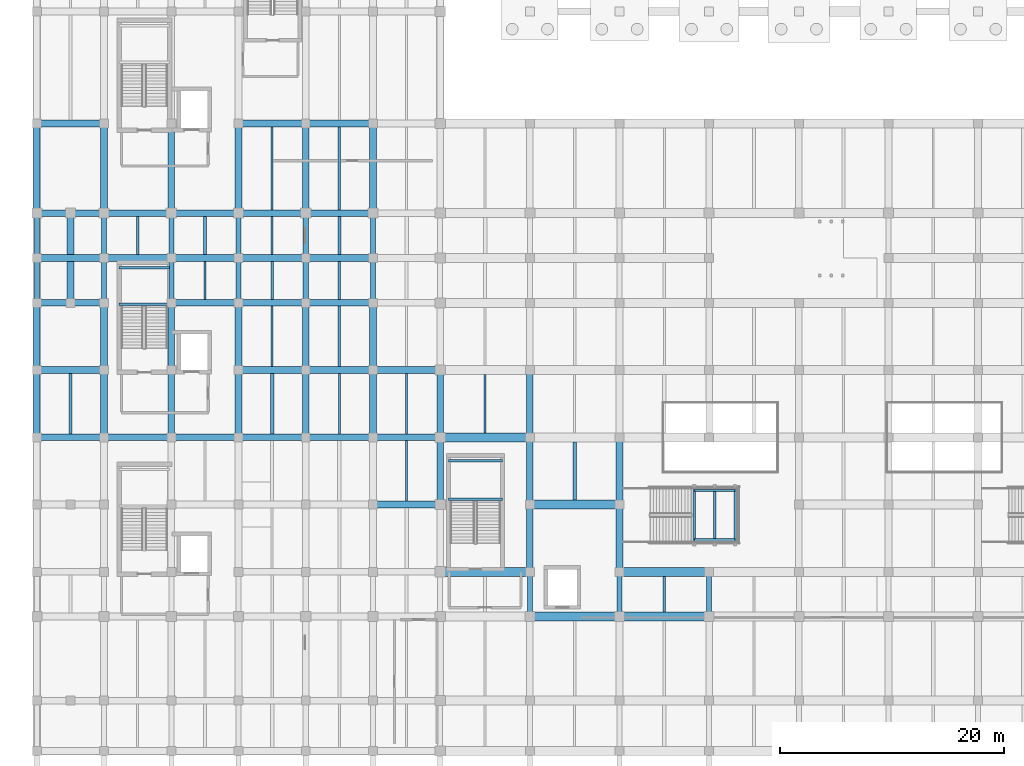
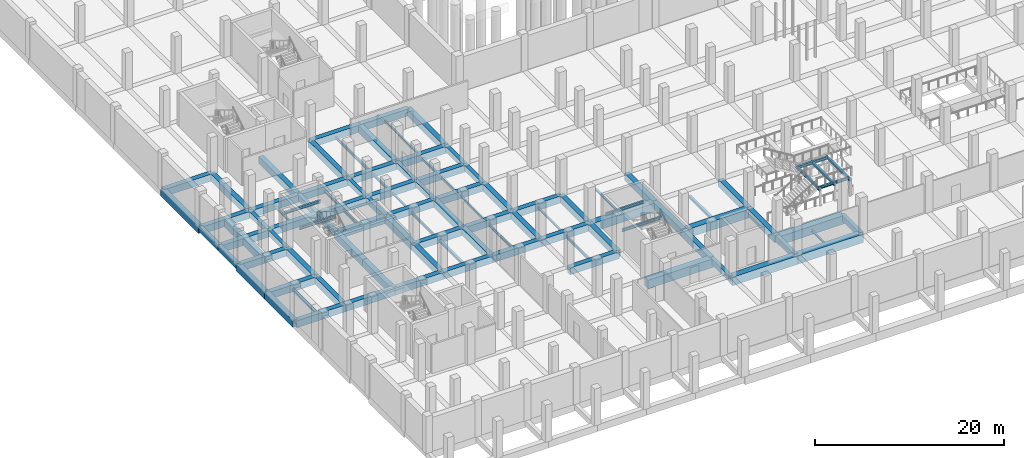
# One storey, part 12 of 36: 105 beams.
"""IFC4 building model written with IfcOpenShell, lengths in metres."""

from ifc_helpers import new_model, si_unit, direction, frame, origin, origin_2d, place, context, subcontext, project, spatial, rectangle, i_section, extrude, material, material_profile, profile_set, type_object, element, save


model = new_model("IFC4")

# Units and contexts
model_context = context("Model", 3, precision=1e-05, world=origin(), true_north=direction((0.0, 1.0)))
body_context = subcontext(model_context, "Body", "Model", "MODEL_VIEW")
ifc_project = project(units=[si_unit("LENGTHUNIT", "METRE"), si_unit("AREAUNIT", "SQUARE_METRE"), si_unit("VOLUMEUNIT", "CUBIC_METRE"), si_unit("PLANEANGLEUNIT", "RADIAN"), si_unit("MASSUNIT", "GRAM", prefix="KILO")], contexts=[model_context])

# Site, building, storey
site_placement = place(None, origin())
site = spatial("IfcSite", under=ifc_project, at=site_placement, CompositionType="ELEMENT")
building_placement = place(site_placement, origin())
building = spatial("IfcBuilding", under=site, at=building_placement, Name="Verrall Gate Interchange", CompositionType="ELEMENT")
storey_placement = place(building_placement, frame((0.0, 0.0, -4.800048828125)))
storey = spatial("IfcBuildingStorey", under=building, at=storey_placement, Name="B1", CompositionType="ELEMENT", Elevation=-4.800048828125)

# Beams
ifc_material_1 = material(Name="Concrete CSA A23.1 35 MPa (Class S-2)", Category="concrete")
ifc_material_profile_1 = material_profile(ifc_material_1, rectangle(XDim=0.800048828125, YDim=1.10009765625, at=origin_2d()), Name="RC800x1100")
ifc_profile_set_1 = profile_set([ifc_material_profile_1], Name="Concrete CSA A23.1 35 MPa (Class S-2)")
beam_type_1 = type_object("IfcBeamType", Name="B-01 Structural Beam RC800x1100", PredefinedType="BEAM", material=ifc_profile_set_1)
for number, where, z_axis, x_axis, name in (
    (1, (44.0, 12.0, -0.550048828125), (1.0, 0.0, 0.0), (0.0, 1.0, 0.0), "B1 Girder BM-B1-0054 (B-01)"),
    (2, (52.0, 12.0, -0.550048828125), (1.0, 0.0, 0.0), (0.0, 1.0, 0.0), "B1 Girder BM-B1-0055 (B-01)"),
    (3, (36.0, 16.0, -0.550048828125), (1.0, 0.0, 0.0), (0.0, 1.0, 0.0), "B1 Girder BM-B1-0075 (B-01)"),
    (4, (52.0, 16.0, -0.550048828125), (1.0, 0.0, 0.0), (0.0, 1.0, 0.0), "B1 Girder BM-B1-0076 (B-01)"),
    (5, (44.0, 22.0, -0.550048828125), (1.0, 0.0, 0.0), (0.0, 1.0, 0.0), "B1 Girder BM-B1-0097 (B-01)"),
    (6, (36.0, 28.0, -0.550048828125), (1.0, 0.0, 0.0), (0.0, 1.0, 0.0), "B1 Girder BM-B1-0114 (B-01)"),
):
    element("IfcBeam", number, at=place(storey_placement, frame(where, z_axis=z_axis, x_axis=x_axis)), inside=storey, type_object=beam_type_1, Name=name, PredefinedType="BEAM", context=body_context, shape_type="SweptSolid", body=[
        extrude(rectangle(XDim=0.800048828125, YDim=1.10009765625, at=origin_2d()), origin(), (0.0, 0.0, 1.0), 8.0),
    ])
ifc_material_2 = material(Name="Concrete CSA A23.1 40 MPa (Class N)", Category="concrete")
ifc_material_profile_2 = material_profile(ifc_material_2, rectangle(XDim=0.60009765625, YDim=0.89990234375, at=origin_2d()), Name="RC600x900")
ifc_profile_set_2 = profile_set([ifc_material_profile_2], Name="Concrete CSA A23.1 40 MPa (Class N)")
beam_type_2 = type_object("IfcBeamType", Name="B-02 Structural Beam RC600x900", PredefinedType="BEAM", material=ifc_profile_set_2)
for number, where, z_axis, x_axis, name in (
    (7, (30.0, 22.0, -0.449951171875), (1.0, 0.0, 0.0), (0.0, 1.0, 0.0), "B1 Girder BM-B1-0096 (B-02)"),
    (8, (0.0, 28.0, -0.449951171875), (1.0, 0.0, 0.0), (0.0, 1.0, 0.0), "B1 Girder BM-B1-0108 (B-02)"),
    (9, (6.0, 28.0, -0.449951171875), (1.0, 0.0, 0.0), (0.0, 1.0, 0.0), "B1 Girder BM-B1-0109 (B-02)"),
    (10, (12.0, 28.0, -0.449951171875), (1.0, 0.0, 0.0), (0.0, 1.0, 0.0), "B1 Girder BM-B1-0110 (B-02)"),
    (11, (18.0, 28.0, -0.449951171875), (1.0, 0.0, 0.0), (0.0, 1.0, 0.0), "B1 Girder BM-B1-0111 (B-02)"),
    (12, (24.0, 28.0, -0.449951171875), (1.0, 0.0, 0.0), (0.0, 1.0, 0.0), "B1 Girder BM-B1-0112 (B-02)"),
    (13, (30.0, 28.0, -0.449951171875), (1.0, 0.0, 0.0), (0.0, 1.0, 0.0), "B1 Girder BM-B1-0113 (B-02)"),
    (14, (0.0, 34.0, -0.449951171875), (1.0, 0.0, 0.0), (0.0, 1.0, 0.0), "B1 Girder BM-B1-0130 (B-02)"),
    (15, (18.0, 34.0, -0.449951171875), (1.0, 0.0, 0.0), (0.0, 1.0, 0.0), "B1 Girder BM-B1-0131 (B-02)"),
    (16, (24.0, 34.0, -0.449951171875), (1.0, 0.0, 0.0), (0.0, 1.0, 0.0), "B1 Girder BM-B1-0132 (B-02)"),
    (17, (30.0, 34.0, -0.449951171875), (1.0, 0.0, 0.0), (0.0, 1.0, 0.0), "B1 Girder BM-B1-0133 (B-02)"),
):
    element("IfcBeam", number, at=place(storey_placement, frame(where, z_axis=z_axis, x_axis=x_axis)), inside=storey, type_object=beam_type_2, Name=name, PredefinedType="BEAM", context=body_context, shape_type="SweptSolid", body=[
        extrude(rectangle(XDim=0.60009765625, YDim=0.89990234375, at=origin_2d()), origin(), (0.0, 0.0, 1.0), 6.0),
    ])
for number, where, z_axis, x_axis, name in (
    (18, (0.0, 40.0, -0.449951171875), (1.0, 0.0, 0.0), (0.0, 1.0, 0.0), "B1 Girder BM-B1-0150 (B-02)"),
    (19, (3.0, 40.0, -0.449951171875), (1.0, 0.0, 0.0), (0.0, 1.0, 0.0), "B1 Girder BM-B1-0151 (B-02)"),
):
    element("IfcBeam", number, at=place(storey_placement, frame(where, z_axis=z_axis, x_axis=x_axis)), inside=storey, type_object=beam_type_2, Name=name, PredefinedType="BEAM", context=body_context, shape_type="SweptSolid", body=[
        extrude(rectangle(XDim=0.60009765625, YDim=0.89990234375, at=origin_2d()), origin(), (0.0, 0.0, 1.0), 3.0),
    ])
for number, where, z_axis, x_axis, name in (
    (20, (12.0, 40.0, -0.449951171875), (1.0, 0.0, 0.0), (0.0, 1.0, 0.0), "B1 Girder BM-B1-0152 (B-02)"),
    (21, (18.0, 40.0, -0.449951171875), (1.0, 0.0, 0.0), (0.0, 1.0, 0.0), "B1 Girder BM-B1-0153 (B-02)"),
    (22, (24.0, 40.0, -0.449951171875), (1.0, 0.0, 0.0), (0.0, 1.0, 0.0), "B1 Girder BM-B1-0154 (B-02)"),
    (23, (0.0, 44.0, -0.449951171875), (1.0, 0.0, 0.0), (0.0, 1.0, 0.0), "B1 Girder BM-B1-0172 (B-02)"),
    (24, (6.0, 44.0, -0.449951171875), (1.0, 0.0, 0.0), (0.0, 1.0, 0.0), "B1 Girder BM-B1-0173 (B-02)"),
    (25, (12.0, 44.0, -0.449951171875), (1.0, 0.0, 0.0), (0.0, 1.0, 0.0), "B1 Girder BM-B1-0174 (B-02)"),
    (26, (18.0, 44.0, -0.449951171875), (1.0, 0.0, 0.0), (0.0, 1.0, 0.0), "B1 Girder BM-B1-0175 (B-02)"),
    (27, (24.0, 44.0, -0.449951171875), (1.0, 0.0, 0.0), (0.0, 1.0, 0.0), "B1 Girder BM-B1-0176 (B-02)"),
):
    element("IfcBeam", number, at=place(storey_placement, frame(where, z_axis=z_axis, x_axis=x_axis)), inside=storey, type_object=beam_type_2, Name=name, PredefinedType="BEAM", context=body_context, shape_type="SweptSolid", body=[
        extrude(rectangle(XDim=0.60009765625, YDim=0.89990234375, at=origin_2d()), origin(), (0.0, 0.0, 1.0), 6.0),
    ])
for number, where, z_axis, x_axis, name in (
    (28, (0.0, 48.0, -0.449951171875), (1.0, 0.0, 0.0), (0.0, 1.0, 0.0), "B1 Girder BM-B1-0193 (B-02)"),
    (29, (3.0, 48.0, -0.449951171875), (1.0, 0.0, 0.0), (0.0, 1.0, 0.0), "B1 Girder BM-B1-0194 (B-02)"),
):
    element("IfcBeam", number, at=place(storey_placement, frame(where, z_axis=z_axis, x_axis=x_axis)), inside=storey, type_object=beam_type_2, Name=name, PredefinedType="BEAM", context=body_context, shape_type="SweptSolid", body=[
        extrude(rectangle(XDim=0.60009765625, YDim=0.89990234375, at=origin_2d()), origin(), (0.0, 0.0, 1.0), 3.0),
    ])
for number, where, z_axis, x_axis, name in (
    (30, (6.0, 48.0, -0.449951171875), (1.0, 0.0, 0.0), (0.0, 1.0, 0.0), "B1 Girder BM-B1-0195 (B-02)"),
    (31, (12.0, 48.0, -0.449951171875), (1.0, 0.0, 0.0), (0.0, 1.0, 0.0), "B1 Girder BM-B1-0196 (B-02)"),
    (32, (18.0, 48.0, -0.449951171875), (1.0, 0.0, 0.0), (0.0, 1.0, 0.0), "B1 Girder BM-B1-0197 (B-02)"),
    (33, (24.0, 48.0, -0.449951171875), (1.0, 0.0, 0.0), (0.0, 1.0, 0.0), "B1 Girder BM-B1-0198 (B-02)"),
    (34, (0.0, 56.0, -0.449951171875), (1.0, 0.0, 0.0), (0.0, 1.0, 0.0), "B1 Girder BM-B1-0218 (B-02)"),
    (35, (18.0, 56.0, -0.449951171875), (1.0, 0.0, 0.0), (0.0, 1.0, 0.0), "B1 Girder BM-B1-0219 (B-02)"),
    (36, (24.0, 56.0, -0.449951171875), (1.0, 0.0, 0.0), (0.0, 1.0, 0.0), "B1 Girder BM-B1-0220 (B-02)"),
    (37, (0.0, 28.0, -0.449951171875), (0.0, 1.0, 0.0), (-1.0, 0.0, 0.0), "B1 Girder BM-B1-0269 (B-02)"),
    (38, (0.0, 34.0, -0.449951171875), (0.0, 1.0, 0.0), (-1.0, 0.0, 0.0), "B1 Girder BM-B1-0270 (B-02)"),
):
    element("IfcBeam", number, at=place(storey_placement, frame(where, z_axis=z_axis, x_axis=x_axis)), inside=storey, type_object=beam_type_2, Name=name, PredefinedType="BEAM", context=body_context, shape_type="SweptSolid", body=[
        extrude(rectangle(XDim=0.60009765625, YDim=0.89990234375, at=origin_2d()), origin(), (0.0, 0.0, 1.0), 6.0),
    ])
for number, where, z_axis, x_axis, name in (
    (39, (0.0, 48.0, -0.449951171875), (0.0, 1.0, 0.0), (-1.0, 0.0, 0.0), "B1 Girder BM-B1-0273 (B-02)"),
    (40, (3.0, 40.0, -0.449951171875), (0.0, 1.0, 0.0), (-1.0, 0.0, 0.0), "B1 Girder BM-B1-0278 (B-02)"),
):
    element("IfcBeam", number, at=place(storey_placement, frame(where, z_axis=z_axis, x_axis=x_axis)), inside=storey, type_object=beam_type_2, Name=name, PredefinedType="BEAM", context=body_context, shape_type="SweptSolid", body=[
        extrude(rectangle(XDim=0.60009765625, YDim=0.89990234375, at=origin_2d()), origin(), (0.0, 0.0, 1.0), 8.0),
    ])
for number, where, z_axis, x_axis, name in (
    (41, (6.0, 28.0, -0.449951171875), (0.0, 1.0, 0.0), (-1.0, 0.0, 0.0), "B1 Girder BM-B1-0285 (B-02)"),
    (42, (6.0, 34.0, -0.449951171875), (0.0, 1.0, 0.0), (-1.0, 0.0, 0.0), "B1 Girder BM-B1-0286 (B-02)"),
):
    element("IfcBeam", number, at=place(storey_placement, frame(where, z_axis=z_axis, x_axis=x_axis)), inside=storey, type_object=beam_type_2, Name=name, PredefinedType="BEAM", context=body_context, shape_type="SweptSolid", body=[
        extrude(rectangle(XDim=0.60009765625, YDim=0.89990234375, at=origin_2d()), origin(), (0.0, 0.0, 1.0), 6.0),
    ])
beam_1_placement = place(storey_placement, frame((6.0, 48.0, -0.449951171875), z_axis=(0.0, 1.0, 0.0), x_axis=(-1.0, 0.0, 0.0)))
element("IfcBeam", 43, at=beam_1_placement, inside=storey, type_object=beam_type_2, Name="B1 Girder BM-B1-0289 (B-02)", PredefinedType="BEAM", context=body_context, shape_type="SweptSolid", body=[
    extrude(rectangle(XDim=0.60009765625, YDim=0.89990234375, at=origin_2d()), origin(), (0.0, 0.0, 1.0), 8.0),
])
for number, where, z_axis, x_axis, name in (
    (44, (12.0, 28.0, -0.449951171875), (0.0, 1.0, 0.0), (-1.0, 0.0, 0.0), "B1 Girder BM-B1-0300 (B-02)"),
    (45, (12.0, 34.0, -0.449951171875), (0.0, 1.0, 0.0), (-1.0, 0.0, 0.0), "B1 Girder BM-B1-0301 (B-02)"),
):
    element("IfcBeam", number, at=place(storey_placement, frame(where, z_axis=z_axis, x_axis=x_axis)), inside=storey, type_object=beam_type_2, Name=name, PredefinedType="BEAM", context=body_context, shape_type="SweptSolid", body=[
        extrude(rectangle(XDim=0.60009765625, YDim=0.89990234375, at=origin_2d()), origin(), (0.0, 0.0, 1.0), 6.0),
    ])
beam_2_placement = place(storey_placement, frame((12.0, 48.0, -0.449951171875), z_axis=(0.0, 1.0, 0.0), x_axis=(-1.0, 0.0, 0.0)))
element("IfcBeam", 46, at=beam_2_placement, inside=storey, type_object=beam_type_2, Name="B1 Girder BM-B1-0304 (B-02)", PredefinedType="BEAM", context=body_context, shape_type="SweptSolid", body=[
    extrude(rectangle(XDim=0.60009765625, YDim=0.89990234375, at=origin_2d()), origin(), (0.0, 0.0, 1.0), 8.0),
])
for number, where, z_axis, x_axis, name in (
    (47, (18.0, 28.0, -0.449951171875), (0.0, 1.0, 0.0), (-1.0, 0.0, 0.0), "B1 Girder BM-B1-0315 (B-02)"),
    (48, (18.0, 34.0, -0.449951171875), (0.0, 1.0, 0.0), (-1.0, 0.0, 0.0), "B1 Girder BM-B1-0316 (B-02)"),
):
    element("IfcBeam", number, at=place(storey_placement, frame(where, z_axis=z_axis, x_axis=x_axis)), inside=storey, type_object=beam_type_2, Name=name, PredefinedType="BEAM", context=body_context, shape_type="SweptSolid", body=[
        extrude(rectangle(XDim=0.60009765625, YDim=0.89990234375, at=origin_2d()), origin(), (0.0, 0.0, 1.0), 6.0),
    ])
beam_3_placement = place(storey_placement, frame((18.0, 48.0, -0.449951171875), z_axis=(0.0, 1.0, 0.0), x_axis=(-1.0, 0.0, 0.0)))
element("IfcBeam", 49, at=beam_3_placement, inside=storey, type_object=beam_type_2, Name="B1 Girder BM-B1-0319 (B-02)", PredefinedType="BEAM", context=body_context, shape_type="SweptSolid", body=[
    extrude(rectangle(XDim=0.60009765625, YDim=0.89990234375, at=origin_2d()), origin(), (0.0, 0.0, 1.0), 8.0),
])
for number, where, z_axis, x_axis, name in (
    (50, (24.0, 28.0, -0.449951171875), (0.0, 1.0, 0.0), (-1.0, 0.0, 0.0), "B1 Girder BM-B1-0330 (B-02)"),
    (51, (24.0, 34.0, -0.449951171875), (0.0, 1.0, 0.0), (-1.0, 0.0, 0.0), "B1 Girder BM-B1-0331 (B-02)"),
):
    element("IfcBeam", number, at=place(storey_placement, frame(where, z_axis=z_axis, x_axis=x_axis)), inside=storey, type_object=beam_type_2, Name=name, PredefinedType="BEAM", context=body_context, shape_type="SweptSolid", body=[
        extrude(rectangle(XDim=0.60009765625, YDim=0.89990234375, at=origin_2d()), origin(), (0.0, 0.0, 1.0), 6.0),
    ])
beam_4_placement = place(storey_placement, frame((24.0, 48.0, -0.449951171875), z_axis=(0.0, 1.0, 0.0), x_axis=(-1.0, 0.0, 0.0)))
element("IfcBeam", 52, at=beam_4_placement, inside=storey, type_object=beam_type_2, Name="B1 Girder BM-B1-0334 (B-02)", PredefinedType="BEAM", context=body_context, shape_type="SweptSolid", body=[
    extrude(rectangle(XDim=0.60009765625, YDim=0.89990234375, at=origin_2d()), origin(), (0.0, 0.0, 1.0), 8.0),
])
for number, where, z_axis, x_axis, name in (
    (53, (30.0, 28.0, -0.449951171875), (0.0, 1.0, 0.0), (-1.0, 0.0, 0.0), "B1 Girder BM-B1-0345 (B-02)"),
    (54, (30.0, 34.0, -0.449951171875), (0.0, 1.0, 0.0), (-1.0, 0.0, 0.0), "B1 Girder BM-B1-0346 (B-02)"),
):
    element("IfcBeam", number, at=place(storey_placement, frame(where, z_axis=z_axis, x_axis=x_axis)), inside=storey, type_object=beam_type_2, Name=name, PredefinedType="BEAM", context=body_context, shape_type="SweptSolid", body=[
        extrude(rectangle(XDim=0.60009765625, YDim=0.89990234375, at=origin_2d()), origin(), (0.0, 0.0, 1.0), 6.0),
    ])
beam_5_placement = place(storey_placement, frame((30.0, 48.0, -0.449951171875), z_axis=(0.0, 1.0, 0.0), x_axis=(-1.0, 0.0, 0.0)))
element("IfcBeam", 55, at=beam_5_placement, inside=storey, type_object=beam_type_2, Name="B1 Girder BM-B1-0349 (B-02)", PredefinedType="BEAM", context=body_context, shape_type="SweptSolid", body=[
    extrude(rectangle(XDim=0.60009765625, YDim=0.89990234375, at=origin_2d()), origin(), (0.0, 0.0, 1.0), 8.0),
])
for number, where, z_axis, x_axis, name in (
    (56, (36.0, 22.0, -0.449951171875), (0.0, 1.0, 0.0), (-1.0, 0.0, 0.0), "B1 Girder BM-B1-0359 (B-02)"),
    (57, (36.0, 28.0, -0.449951171875), (0.0, 1.0, 0.0), (-1.0, 0.0, 0.0), "B1 Girder BM-B1-0360 (B-02)"),
    (58, (44.0, 16.0, -0.449951171875), (0.0, 1.0, 0.0), (-1.0, 0.0, 0.0), "B1 Girder BM-B1-0373 (B-02)"),
    (59, (44.0, 22.0, -0.449951171875), (0.0, 1.0, 0.0), (-1.0, 0.0, 0.0), "B1 Girder BM-B1-0374 (B-02)"),
    (60, (44.0, 28.0, -0.449951171875), (0.0, 1.0, 0.0), (-1.0, 0.0, 0.0), "B1 Girder BM-B1-0375 (B-02)"),
    (61, (52.0, 16.0, -0.449951171875), (0.0, 1.0, 0.0), (-1.0, 0.0, 0.0), "B1 Girder BM-B1-0384 (B-02)"),
    (62, (52.0, 22.0, -0.449951171875), (0.0, 1.0, 0.0), (-1.0, 0.0, 0.0), "B1 Girder BM-B1-0385 (B-02)"),
):
    element("IfcBeam", number, at=place(storey_placement, frame(where, z_axis=z_axis, x_axis=x_axis)), inside=storey, type_object=beam_type_2, Name=name, PredefinedType="BEAM", context=body_context, shape_type="SweptSolid", body=[
        extrude(rectangle(XDim=0.60009765625, YDim=0.89990234375, at=origin_2d()), origin(), (0.0, 0.0, 1.0), 6.0),
    ])
ifc_material_3 = material(Name="Concrete CSA A23.1 40 MPa (Class N)", Category="concrete")
ifc_material_profile_3 = material_profile(ifc_material_3, rectangle(XDim=0.449951171875, YDim=0.699951171875, at=origin_2d()), Name="RC450x700")
ifc_profile_set_3 = profile_set([ifc_material_profile_3], Name="Concrete CSA A23.1 40 MPa (Class N)")
beam_type_3 = type_object("IfcBeamType", Name="B-03 Structural Beam RC450x700", PredefinedType="BEAM", material=ifc_profile_set_3)
for number, where, z_axis, x_axis, name in (
    (63, (0.0, 40.0, -0.349853515625), (0.0, 1.0, 0.0), (-1.0, 0.0, 0.0), "B1 Girder BM-B1-0271 (B-03)"),
    (64, (0.0, 44.0, -0.349853515625), (0.0, 1.0, 0.0), (-1.0, 0.0, 0.0), "B1 Girder BM-B1-0272 (B-03)"),
    (65, (6.0, 40.0, -0.349853515625), (0.0, 1.0, 0.0), (-1.0, 0.0, 0.0), "B1 Girder BM-B1-0287 (B-03)"),
    (66, (6.0, 44.0, -0.349853515625), (0.0, 1.0, 0.0), (-1.0, 0.0, 0.0), "B1 Girder BM-B1-0288 (B-03)"),
    (67, (12.0, 40.0, -0.349853515625), (0.0, 1.0, 0.0), (-1.0, 0.0, 0.0), "B1 Girder BM-B1-0302 (B-03)"),
    (68, (12.0, 44.0, -0.349853515625), (0.0, 1.0, 0.0), (-1.0, 0.0, 0.0), "B1 Girder BM-B1-0303 (B-03)"),
    (69, (18.0, 40.0, -0.349853515625), (0.0, 1.0, 0.0), (-1.0, 0.0, 0.0), "B1 Girder BM-B1-0317 (B-03)"),
    (70, (18.0, 44.0, -0.349853515625), (0.0, 1.0, 0.0), (-1.0, 0.0, 0.0), "B1 Girder BM-B1-0318 (B-03)"),
    (71, (24.0, 40.0, -0.349853515625), (0.0, 1.0, 0.0), (-1.0, 0.0, 0.0), "B1 Girder BM-B1-0332 (B-03)"),
    (72, (24.0, 44.0, -0.349853515625), (0.0, 1.0, 0.0), (-1.0, 0.0, 0.0), "B1 Girder BM-B1-0333 (B-03)"),
    (73, (30.0, 40.0, -0.349853515625), (0.0, 1.0, 0.0), (-1.0, 0.0, 0.0), "B1 Girder BM-B1-0347 (B-03)"),
    (74, (30.0, 44.0, -0.349853515625), (0.0, 1.0, 0.0), (-1.0, 0.0, 0.0), "B1 Girder BM-B1-0348 (B-03)"),
    (75, (44.0, 12.0, -0.349853515625), (0.0, 1.0, 0.0), (-1.0, 0.0, 0.0), "B1 Girder BM-B1-0372 (B-03)"),
    (76, (52.0, 12.0, -0.349853515625), (0.0, 1.0, 0.0), (-1.0, 0.0, 0.0), "B1 Girder BM-B1-0383 (B-03)"),
    (77, (60.0, 12.0, -0.349853515625), (0.0, 1.0, 0.0), (-1.0, 0.0, 0.0), "B1 Girder BM-B1-0394 (B-03)"),
):
    element("IfcBeam", number, at=place(storey_placement, frame(where, z_axis=z_axis, x_axis=x_axis)), inside=storey, type_object=beam_type_3, Name=name, PredefinedType="BEAM", context=body_context, shape_type="SweptSolid", body=[
        extrude(rectangle(XDim=0.449951171875, YDim=0.699951171875, at=origin_2d()), origin(), (0.0, 0.0, 1.0), 4.0),
    ])
ifc_material_4 = material(Name="Structural Steel CSA G40.21 350W", Category="steel")
ifc_material_profile_4 = material_profile(ifc_material_4, i_section(OverallWidth=0.205078125, OverallDepth=0.35400390625, WebThickness=0.009521484375, FlangeThickness=0.016845703125, FilletRadius=0.012939453125, at=origin_2d()), Name="W360x79")
ifc_profile_set_4 = profile_set([ifc_material_profile_4], Name="Structural Steel CSA G40.21 350W")
beam_type_4 = type_object("IfcBeamType", Name="B-14 Structural Beam W360x79", PredefinedType="BEAM", material=ifc_profile_set_4)
for number, where, z_axis, x_axis, name in (
    (78, (7.35009765625, 39.8701171875, 2.030029296875), (1.0, 0.0, 0.0), (0.0, 1.0, 0.0), "B1 Core C2 Mid-Landing Beam 1"),
    (79, (7.35009765625, 43.1201171875, 2.030029296875), (1.0, 0.0, 0.0), (0.0, 1.0, 0.0), "B1 Core C2 Mid-Landing Beam 2"),
):
    element("IfcBeam", number, at=place(storey_placement, frame(where, z_axis=z_axis, x_axis=x_axis)), inside=storey, type_object=beam_type_4, Name=name, PredefinedType="BEAM", context=body_context, shape_type="SweptSolid", body=[
        extrude(i_section(OverallWidth=0.205078125, OverallDepth=0.35400390625, WebThickness=0.009521484375, FlangeThickness=0.016845703125, FilletRadius=0.012939453125, at=origin_2d()), origin(), (0.0, 0.0, 1.0), 4.5),
    ])
for number, where, z_axis, x_axis, name in (
    (80, (36.72998046875, 22.469970703125, 2.030029296875), (1.0, 0.0, 0.0), (0.0, 1.0, 0.0), "B1 Core C5 Mid-Landing Beam 1"),
    (81, (36.72998046875, 25.919921875, 2.030029296875), (1.0, 0.0, 0.0), (0.0, 1.0, 0.0), "B1 Core C5 Mid-Landing Beam 2"),
):
    element("IfcBeam", number, at=place(storey_placement, frame(where, z_axis=z_axis, x_axis=x_axis)), inside=storey, type_object=beam_type_4, Name=name, PredefinedType="BEAM", context=body_context, shape_type="SweptSolid", body=[
        extrude(i_section(OverallWidth=0.205078125, OverallDepth=0.35400390625, WebThickness=0.009521484375, FlangeThickness=0.016845703125, FilletRadius=0.012939453125, at=origin_2d()), origin(), (0.0, 0.0, 1.0), 4.840087890625),
    ])
for number, where, z_axis, x_axis, name in (
    (82, (58.669921875, 18.43994140625, 2.030029296875), (0.0, 1.0, 0.0), (-1.0, 0.0, 0.0), "B1 ST-10 Mid-Landing Beam"),
    (83, (60.4951171875, 18.43994140625, 2.030029296875), (0.0, 1.0, 0.0), (-1.0, 0.0, 0.0), "B1 ST-10 Mid-Landing Beam"),
    (84, (62.320068359375, 18.43994140625, 2.030029296875), (0.0, 1.0, 0.0), (-1.0, 0.0, 0.0), "B1 ST-10 Mid-Landing Beam"),
):
    element("IfcBeam", number, at=place(storey_placement, frame(where, z_axis=z_axis, x_axis=x_axis)), inside=storey, type_object=beam_type_4, Name=name, PredefinedType="BEAM", context=body_context, shape_type="SweptSolid", body=[
        extrude(i_section(OverallWidth=0.205078125, OverallDepth=0.35400390625, WebThickness=0.009521484375, FlangeThickness=0.016845703125, FilletRadius=0.012939453125, at=origin_2d()), origin(), (0.0, 0.0, 1.0), 5.219970703125),
    ])
for number, where, z_axis, x_axis, name in (
    (85, (58.669921875, 18.85009765625, 2.030029296875), (1.0, 0.0, 0.0), (0.0, 1.0, 0.0), "B1 ST-10 Mid-Landing Edge Beam 1"),
    (86, (58.669921875, 23.25, 2.030029296875), (1.0, 0.0, 0.0), (0.0, 1.0, 0.0), "B1 ST-10 Mid-Landing Edge Beam 2"),
):
    element("IfcBeam", number, at=place(storey_placement, frame(where, z_axis=z_axis, x_axis=x_axis)), inside=storey, type_object=beam_type_4, Name=name, PredefinedType="BEAM", context=body_context, shape_type="SweptSolid", body=[
        extrude(i_section(OverallWidth=0.205078125, OverallDepth=0.35400390625, WebThickness=0.009521484375, FlangeThickness=0.016845703125, FilletRadius=0.012939453125, at=origin_2d()), origin(), (0.0, 0.0, 1.0), 3.650146484375),
    ])
ifc_material_5 = material(Name="Structural Steel CSA G40.21 350W", Category="steel")
ifc_material_profile_5 = material_profile(ifc_material_5, i_section(OverallWidth=0.172119140625, OverallDepth=0.35791015625, WebThickness=0.0078125, FlangeThickness=0.01318359375, FilletRadius=0.010986328125, at=origin_2d()), Name="W360x57")
ifc_profile_set_5 = profile_set([ifc_material_profile_5], Name="Structural Steel CSA G40.21 350W")
beam_type_5 = type_object("IfcBeamType", Name="J-01 Floor Joist W360x57", PredefinedType="JOIST", material=ifc_profile_set_5)
for number, where, z_axis, x_axis, name in (
    (87, (33.0, 22.300048828125, -0.62890625), (0.0, 1.0, 0.0), (-1.0, 0.0, 0.0), "B1 Secondary Floor Joist JST-B1-0597"),
    (88, (27.0, 28.300048828125, -0.62890625), (0.0, 1.0, 0.0), (-1.0, 0.0, 0.0), "B1 Secondary Floor Joist JST-B1-0611"),
    (89, (21.0, 34.300048828125, -0.62890625), (0.0, 1.0, 0.0), (-1.0, 0.0, 0.0), "B1 Secondary Floor Joist JST-B1-0627"),
):
    element("IfcBeam", number, at=place(storey_placement, frame(where, z_axis=z_axis, x_axis=x_axis)), inside=storey, type_object=beam_type_5, Name=name, PredefinedType="JOIST", context=body_context, shape_type="SweptSolid", body=[
        extrude(i_section(OverallWidth=0.172119140625, OverallDepth=0.35791015625, WebThickness=0.0078125, FlangeThickness=0.01318359375, FilletRadius=0.010986328125, at=origin_2d()), origin(), (0.0, 0.0, 1.0), 5.39990234375),
    ])
beam_6_placement = place(storey_placement, frame((15.0, 40.300048828125, -0.62890625), z_axis=(0.0, 1.0, 0.0), x_axis=(-1.0, 0.0, 0.0)))
element("IfcBeam", 90, at=beam_6_placement, inside=storey, type_object=beam_type_5, Name="B1 Secondary Floor Joist JST-B1-0645", PredefinedType="JOIST", context=body_context, shape_type="SweptSolid", body=[
    extrude(i_section(OverallWidth=0.172119140625, OverallDepth=0.35791015625, WebThickness=0.0078125, FlangeThickness=0.01318359375, FilletRadius=0.010986328125, at=origin_2d()), origin(), (0.0, 0.0, 1.0), 3.39990234375),
])
beam_7_placement = place(storey_placement, frame((21.0, 48.300048828125, -0.62890625), z_axis=(0.0, 1.0, 0.0), x_axis=(-1.0, 0.0, 0.0)))
element("IfcBeam", 91, at=beam_7_placement, inside=storey, type_object=beam_type_5, Name="B1 Secondary Floor Joist JST-B1-0683", PredefinedType="JOIST", context=body_context, shape_type="SweptSolid", body=[
    extrude(i_section(OverallWidth=0.172119140625, OverallDepth=0.35791015625, WebThickness=0.0078125, FlangeThickness=0.01318359375, FilletRadius=0.010986328125, at=origin_2d()), origin(), (0.0, 0.0, 1.0), 7.39990234375),
])
ifc_material_6 = material(Name="Structural Steel CSA G40.21 350W", Category="steel")
ifc_material_profile_6 = material_profile(ifc_material_6, i_section(OverallWidth=0.306884765625, OverallDepth=0.31396484375, WebThickness=0.011962890625, FlangeThickness=0.018798828125, FilletRadius=0.013916015625, at=origin_2d()), Name="W310x118")
ifc_profile_set_6 = profile_set([ifc_material_profile_6], Name="Structural Steel CSA G40.21 350W")
beam_type_6 = type_object("IfcBeamType", Name="J-02 Floor Joist W310x118", PredefinedType="JOIST", material=ifc_profile_set_6)
beam_8_placement = place(storey_placement, frame((48.0, 22.39990234375, -0.60693359375), z_axis=(0.0, 1.0, 0.0), x_axis=(-1.0, 0.0, 0.0)))
element("IfcBeam", 92, at=beam_8_placement, inside=storey, type_object=beam_type_6, Name="B1 Secondary Floor Joist JST-B1-0598", PredefinedType="JOIST", context=body_context, shape_type="SweptSolid", body=[
    extrude(i_section(OverallWidth=0.306884765625, OverallDepth=0.31396484375, WebThickness=0.011962890625, FlangeThickness=0.018798828125, FilletRadius=0.013916015625, at=origin_2d()), origin(), (0.0, 0.0, 1.0), 5.2001953125),
])
beam_9_placement = place(storey_placement, frame((21.0, 28.300048828125, -0.60693359375), z_axis=(0.0, 1.0, 0.0), x_axis=(-1.0, 0.0, 0.0)))
element("IfcBeam", 93, at=beam_9_placement, inside=storey, type_object=beam_type_6, Name="B1 Secondary Floor Joist JST-B1-0610", PredefinedType="JOIST", context=body_context, shape_type="SweptSolid", body=[
    extrude(i_section(OverallWidth=0.306884765625, OverallDepth=0.31396484375, WebThickness=0.011962890625, FlangeThickness=0.018798828125, FilletRadius=0.013916015625, at=origin_2d()), origin(), (0.0, 0.0, 1.0), 5.39990234375),
])
ifc_material_7 = material(Name="Structural Steel CSA G40.21 350W", Category="steel")
ifc_material_profile_7 = material_profile(ifc_material_7, i_section(OverallWidth=0.25390625, OverallDepth=0.305908203125, WebThickness=0.0087890625, FlangeThickness=0.0146484375, FilletRadius=0.012939453125, at=origin_2d()), Name="W310x79")
ifc_profile_set_7 = profile_set([ifc_material_profile_7], Name="Structural Steel CSA G40.21 350W")
beam_type_7 = type_object("IfcBeamType", Name="J-03 Floor Joist W310x79", PredefinedType="JOIST", material=ifc_profile_set_7)
beam_10_placement = place(storey_placement, frame((27.0, 44.300048828125, -0.60302734375), z_axis=(0.0, 1.0, 0.0), x_axis=(-1.0, 0.0, 0.0)))
element("IfcBeam", 94, at=beam_10_placement, inside=storey, type_object=beam_type_7, Name="B1 Secondary Floor Joist JST-B1-0666", PredefinedType="JOIST", context=body_context, shape_type="SweptSolid", body=[
    extrude(i_section(OverallWidth=0.25390625, OverallDepth=0.305908203125, WebThickness=0.0087890625, FlangeThickness=0.0146484375, FilletRadius=0.012939453125, at=origin_2d()), origin(), (0.0, 0.0, 1.0), 3.39990234375),
])
ifc_material_8 = material(Name="Structural Steel CSA G40.21 350W", Category="steel")
ifc_material_profile_8 = material_profile(ifc_material_8, i_section(OverallWidth=0.1650390625, OverallDepth=0.31005859375, WebThickness=0.005859375, FlangeThickness=0.009765625, FilletRadius=0.010009765625, at=origin_2d()), Name="W310x39")
ifc_profile_set_8 = profile_set([ifc_material_profile_8], Name="Structural Steel CSA G40.21 350W")
beam_type_8 = type_object("IfcBeamType", Name="J-04 Floor Joist W310x39", PredefinedType="JOIST", material=ifc_profile_set_8)
beam_11_placement = place(storey_placement, frame((21.0, 44.300048828125, -0.60498046875), z_axis=(0.0, 1.0, 0.0), x_axis=(-1.0, 0.0, 0.0)))
element("IfcBeam", 95, at=beam_11_placement, inside=storey, type_object=beam_type_8, Name="B1 Secondary Floor Joist JST-B1-0665", PredefinedType="JOIST", context=body_context, shape_type="SweptSolid", body=[
    extrude(i_section(OverallWidth=0.1650390625, OverallDepth=0.31005859375, WebThickness=0.005859375, FlangeThickness=0.009765625, FilletRadius=0.010009765625, at=origin_2d()), origin(), (0.0, 0.0, 1.0), 3.39990234375),
])
ifc_material_9 = material(Name="Structural Steel CSA G40.21 350W", Category="steel")
ifc_material_profile_9 = material_profile(ifc_material_9, i_section(OverallWidth=0.25390625, OverallDepth=0.2529296875, WebThickness=0.008544921875, FlangeThickness=0.01416015625, FilletRadius=0.011962890625, at=origin_2d()), Name="W250x73")
ifc_profile_set_9 = profile_set([ifc_material_profile_9], Name="Structural Steel CSA G40.21 350W")
beam_type_9 = type_object("IfcBeamType", Name="J-05 Floor Joist W250x73", PredefinedType="JOIST", material=ifc_profile_set_9)
beam_12_placement = place(storey_placement, frame((3.0, 28.300048828125, -0.576416015625), z_axis=(0.0, 1.0, 0.0), x_axis=(-1.0, 0.0, 0.0)))
element("IfcBeam", 96, at=beam_12_placement, inside=storey, type_object=beam_type_9, Name="B1 Secondary Floor Joist JST-B1-0609", PredefinedType="JOIST", context=body_context, shape_type="SweptSolid", body=[
    extrude(i_section(OverallWidth=0.25390625, OverallDepth=0.2529296875, WebThickness=0.008544921875, FlangeThickness=0.01416015625, FilletRadius=0.011962890625, at=origin_2d()), origin(), (0.0, 0.0, 1.0), 5.39990234375),
])
beam_13_placement = place(storey_placement, frame((15.0, 44.300048828125, -0.576416015625), z_axis=(0.0, 1.0, 0.0), x_axis=(-1.0, 0.0, 0.0)))
element("IfcBeam", 97, at=beam_13_placement, inside=storey, type_object=beam_type_9, Name="B1 Secondary Floor Joist JST-B1-0664", PredefinedType="JOIST", context=body_context, shape_type="SweptSolid", body=[
    extrude(i_section(OverallWidth=0.25390625, OverallDepth=0.2529296875, WebThickness=0.008544921875, FlangeThickness=0.01416015625, FilletRadius=0.011962890625, at=origin_2d()), origin(), (0.0, 0.0, 1.0), 3.39990234375),
])
ifc_material_10 = material(Name="Structural Steel CSA G40.21 350W", Category="steel")
ifc_material_profile_10 = material_profile(ifc_material_10, i_section(OverallWidth=0.201904296875, OverallDepth=0.2470703125, WebThickness=0.00732421875, FlangeThickness=0.010986328125, FilletRadius=0.010986328125, at=origin_2d()), Name="W250x49")
ifc_profile_set_10 = profile_set([ifc_material_profile_10], Name="Structural Steel CSA G40.21 350W")
beam_type_10 = type_object("IfcBeamType", Name="J-06 Floor Joist W250x49", PredefinedType="JOIST", material=ifc_profile_set_10)
for number, where, z_axis, x_axis, name in (
    (98, (27.0, 40.300048828125, -0.573486328125), (0.0, 1.0, 0.0), (-1.0, 0.0, 0.0), "B1 Secondary Floor Joist JST-B1-0647"),
    (99, (9.0, 44.300048828125, -0.573486328125), (0.0, 1.0, 0.0), (-1.0, 0.0, 0.0), "B1 Secondary Floor Joist JST-B1-0663"),
):
    element("IfcBeam", number, at=place(storey_placement, frame(where, z_axis=z_axis, x_axis=x_axis)), inside=storey, type_object=beam_type_10, Name=name, PredefinedType="JOIST", context=body_context, shape_type="SweptSolid", body=[
        extrude(i_section(OverallWidth=0.201904296875, OverallDepth=0.2470703125, WebThickness=0.00732421875, FlangeThickness=0.010986328125, FilletRadius=0.010986328125, at=origin_2d()), origin(), (0.0, 0.0, 1.0), 3.39990234375),
    ])
ifc_material_11 = material(Name="Structural Steel CSA G40.21 350W", Category="steel")
ifc_material_profile_11 = material_profile(ifc_material_11, i_section(OverallWidth=0.202880859375, OverallDepth=0.202880859375, WebThickness=0.007080078125, FlangeThickness=0.010986328125, FilletRadius=0.010009765625, at=origin_2d()), Name="W200x46")
ifc_profile_set_11 = profile_set([ifc_material_profile_11], Name="Structural Steel CSA G40.21 350W")
beam_type_11 = type_object("IfcBeamType", Name="J-07 Floor Joist W200x46", PredefinedType="JOIST", material=ifc_profile_set_11)
beam_14_placement = place(storey_placement, frame((56.0, 12.39990234375, -0.551513671875), z_axis=(0.0, 1.0, 0.0), x_axis=(-1.0, 0.0, 0.0)))
element("IfcBeam", 100, at=beam_14_placement, inside=storey, type_object=beam_type_11, Name="B1 Secondary Floor Joist JST-B1-0567", PredefinedType="JOIST", context=body_context, shape_type="SweptSolid", body=[
    extrude(i_section(OverallWidth=0.202880859375, OverallDepth=0.202880859375, WebThickness=0.007080078125, FlangeThickness=0.010986328125, FilletRadius=0.010009765625, at=origin_2d()), origin(), (0.0, 0.0, 1.0), 3.2001953125),
])
beam_15_placement = place(storey_placement, frame((33.0, 28.300048828125, -0.551513671875), z_axis=(0.0, 1.0, 0.0), x_axis=(-1.0, 0.0, 0.0)))
element("IfcBeam", 101, at=beam_15_placement, inside=storey, type_object=beam_type_11, Name="B1 Secondary Floor Joist JST-B1-0612", PredefinedType="JOIST", context=body_context, shape_type="SweptSolid", body=[
    extrude(i_section(OverallWidth=0.202880859375, OverallDepth=0.202880859375, WebThickness=0.007080078125, FlangeThickness=0.010986328125, FilletRadius=0.010009765625, at=origin_2d()), origin(), (0.0, 0.0, 1.0), 5.39990234375),
])
beam_16_placement = place(storey_placement, frame((40.0, 28.39990234375, -0.551513671875), z_axis=(0.0, 1.0, 0.0), x_axis=(-1.0, 0.0, 0.0)))
element("IfcBeam", 102, at=beam_16_placement, inside=storey, type_object=beam_type_11, Name="B1 Secondary Floor Joist JST-B1-0613", PredefinedType="JOIST", context=body_context, shape_type="SweptSolid", body=[
    extrude(i_section(OverallWidth=0.202880859375, OverallDepth=0.202880859375, WebThickness=0.007080078125, FlangeThickness=0.010986328125, FilletRadius=0.010009765625, at=origin_2d()), origin(), (0.0, 0.0, 1.0), 5.2001953125),
])
beam_17_placement = place(storey_placement, frame((27.0, 34.300048828125, -0.551513671875), z_axis=(0.0, 1.0, 0.0), x_axis=(-1.0, 0.0, 0.0)))
element("IfcBeam", 103, at=beam_17_placement, inside=storey, type_object=beam_type_11, Name="B1 Secondary Floor Joist JST-B1-0628", PredefinedType="JOIST", context=body_context, shape_type="SweptSolid", body=[
    extrude(i_section(OverallWidth=0.202880859375, OverallDepth=0.202880859375, WebThickness=0.007080078125, FlangeThickness=0.010986328125, FilletRadius=0.010009765625, at=origin_2d()), origin(), (0.0, 0.0, 1.0), 5.39990234375),
])
beam_18_placement = place(storey_placement, frame((21.0, 40.300048828125, -0.551513671875), z_axis=(0.0, 1.0, 0.0), x_axis=(-1.0, 0.0, 0.0)))
element("IfcBeam", 104, at=beam_18_placement, inside=storey, type_object=beam_type_11, Name="B1 Secondary Floor Joist JST-B1-0646", PredefinedType="JOIST", context=body_context, shape_type="SweptSolid", body=[
    extrude(i_section(OverallWidth=0.202880859375, OverallDepth=0.202880859375, WebThickness=0.007080078125, FlangeThickness=0.010986328125, FilletRadius=0.010009765625, at=origin_2d()), origin(), (0.0, 0.0, 1.0), 3.39990234375),
])
beam_19_placement = place(storey_placement, frame((27.0, 48.300048828125, -0.551513671875), z_axis=(0.0, 1.0, 0.0), x_axis=(-1.0, 0.0, 0.0)))
element("IfcBeam", 105, at=beam_19_placement, inside=storey, type_object=beam_type_11, Name="B1 Secondary Floor Joist JST-B1-0684", PredefinedType="JOIST", context=body_context, shape_type="SweptSolid", body=[
    extrude(i_section(OverallWidth=0.202880859375, OverallDepth=0.202880859375, WebThickness=0.007080078125, FlangeThickness=0.010986328125, FilletRadius=0.010009765625, at=origin_2d()), origin(), (0.0, 0.0, 1.0), 7.39990234375),
])

save(model, "model.ifc")
